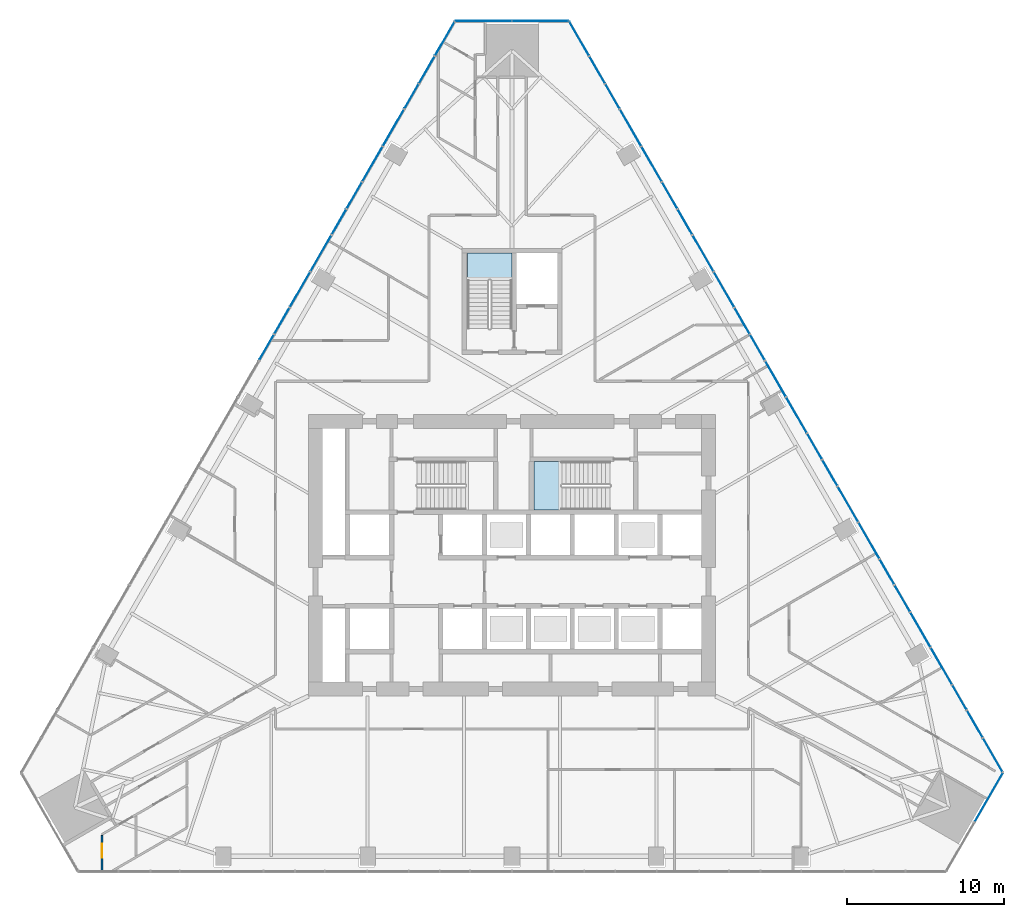
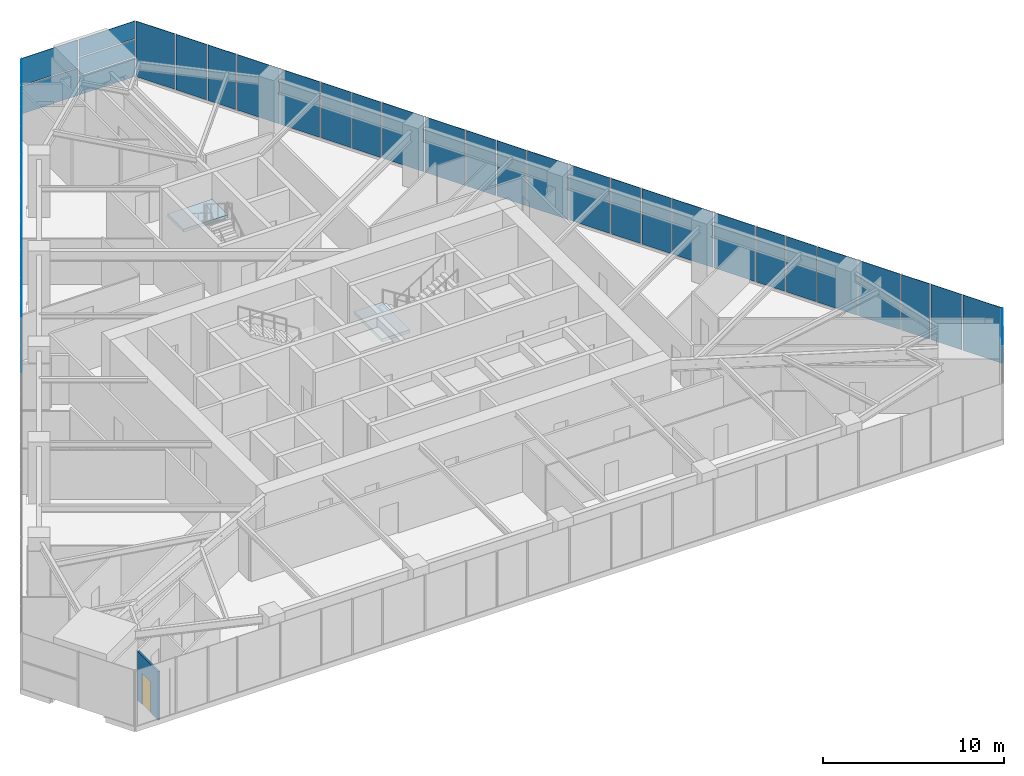
# One storey, part 12 of 19: 41 plates, 2 slabs, 1 door, 1 wall, 1 opening, 6 elements without a shape of their own.
"""IFC4 building model written with IfcOpenShell, lengths in metres."""

import ifcopenshell
import ifcopenshell.guid

model = None  # the IFC model being written
_history = None  # IfcOwnerHistory: only IFC2X3 demands one
_inside = {}  # id of a spatial element -> (the spatial element, [elements in it])
_under = {}  # id of a project, library or spatial element -> (it, [spatial elements below it])
_declared = {}  # id of a project -> (the project, [libraries it declares])
_typed = {}  # id of a type object -> (the type object, [elements of that type])
_made_of = {}  # id of a material, layer set ... -> (it, [elements and type objects made of it])


def new_model(schema):
    """Start an empty IFC model of exactly this schema.

    Asked for "IFC4X3", IfcOpenShell would pick the latest addendum, in which some entities
    have other attributes; the version numbers below select the first issue.
    IFC2X3 requires an IfcOwnerHistory on every rooted entity: one is made here for all.
    """
    global model, _history
    if schema == "IFC4X3":
        model = ifcopenshell.file(schema_version=(4, 3, 0, 0))
    else:
        model = ifcopenshell.file(schema=schema)
    _inside.clear()
    _under.clear()
    _declared.clear()
    _typed.clear()
    _made_of.clear()
    _history = None
    if model.schema == "IFC2X3":
        org = make("IfcOrganization", Name="unknown")
        user = make(
            "IfcPersonAndOrganization",
            ThePerson=make("IfcPerson", FamilyName="unknown"),
            TheOrganization=org,
        )
        app = make(
            "IfcApplication",
            ApplicationDeveloper=org,
            Version="unknown",
            ApplicationFullName="unknown",
            ApplicationIdentifier="unknown",
        )
        _history = make(
            "IfcOwnerHistory",
            OwningUser=user,
            OwningApplication=app,
            ChangeAction="ADDED",
            CreationDate=0,
        )
    return model


def make(cls, **values):
    """One entity of the class cls with the attributes given. An attribute that is None is left unset."""
    return model.create_entity(
        cls, **{name: value for name, value in values.items() if value is not None}
    )


def rooted(cls, **values):
    """An entity with a GlobalId (a new one), such as an element, a storey or a relation."""
    return make(cls, GlobalId=ifcopenshell.guid.new(), OwnerHistory=_history, **values)


def si_unit(unit_type, name, prefix=None):
    """IfcSIUnit, for example si_unit("LENGTHUNIT", "METRE", prefix="MILLI")."""
    return make("IfcSIUnit", UnitType=unit_type, Prefix=prefix, Name=name)


def assignment(units):
    """IfcUnitAssignment: the units of a project."""
    return None if units is None else make("IfcUnitAssignment", Units=units)


def point(xyz):
    """IfcCartesianPoint."""
    return None if xyz is None else make("IfcCartesianPoint", Coordinates=xyz)


def direction(xyz):
    """IfcDirection."""
    return None if xyz is None else make("IfcDirection", DirectionRatios=xyz)


def frame(location, z_axis=None, x_axis=None):
    """IfcAxis2Placement3D, a coordinate frame: its origin and axes. An axis left out is left unset."""
    return make(
        "IfcAxis2Placement3D",
        Location=point(location),
        Axis=direction(z_axis),
        RefDirection=direction(x_axis),
    )


def frame_2d(location, x_axis=None):
    """IfcAxis2Placement2D, a coordinate frame in the plane: its origin and x axis."""
    return make(
        "IfcAxis2Placement2D", Location=point(location), RefDirection=direction(x_axis)
    )


def origin():
    """The frame at (0, 0, 0) with its axes left unset."""
    return frame((0.0, 0.0, 0.0))


def place(relative_to, where):
    """IfcLocalPlacement: puts the frame where relative to a parent placement (None: the world)."""
    return make(
        "IfcLocalPlacement", PlacementRelTo=relative_to, RelativePlacement=where
    )


def context(
    kind, dimensions, precision=None, world=None, true_north=None, identifier=None
):
    """IfcGeometricRepresentationContext, for example the 3D "Model" context."""
    return make(
        "IfcGeometricRepresentationContext",
        ContextIdentifier=identifier,
        ContextType=kind,
        CoordinateSpaceDimension=dimensions,
        Precision=precision,
        WorldCoordinateSystem=world,
        TrueNorth=true_north,
    )


def subcontext(parent, identifier, kind, view, scale=None):
    """IfcGeometricRepresentationSubContext, for example "Body" below "Model"."""
    return make(
        "IfcGeometricRepresentationSubContext",
        ContextIdentifier=identifier,
        ContextType=kind,
        ParentContext=parent,
        TargetScale=scale,
        TargetView=view,
    )


def project(units=None, contexts=None):
    """IfcProject with its units and contexts."""
    return rooted(
        "IfcProject",
        Name="project",
        RepresentationContexts=contexts,
        UnitsInContext=assignment(units),
    )


def spatial(cls, under=None, at=None, **own):
    """A site, building, storey or space (cls), placed at a placement, below another one or the project."""
    s = rooted(cls, ObjectPlacement=at, **own)
    if under is not None:
        _under.setdefault(under.id(), (under, []))[1].append(s)
    return s


def polyline(points):
    """IfcPolyline through the points."""
    return make("IfcPolyline", Points=[point(p) for p in points])


def profile(cls, at=None, kind="AREA", **sizes):
    """A parametric profile (cls). Its sizes go by their IFC names, for example OverallWidth=200.0."""
    return make(cls, ProfileType=kind, Position=at, **sizes)


def rectangle(**sizes):
    """IfcRectangleProfileDef."""
    return profile("IfcRectangleProfileDef", **sizes)


def outline(outer, holes=None, kind="AREA"):
    """IfcArbitraryClosedProfileDef: a profile drawn as a closed curve; with holes, ...WithVoids."""
    if holes is None:
        return make("IfcArbitraryClosedProfileDef", ProfileType=kind, OuterCurve=outer)
    return make(
        "IfcArbitraryProfileDefWithVoids",
        ProfileType=kind,
        OuterCurve=outer,
        InnerCurves=holes,
    )


def extrude(swept, where, along, depth):
    """IfcExtrudedAreaSolid: the profile swept, set in the frame where, extruded along a direction by depth."""
    return make(
        "IfcExtrudedAreaSolid",
        SweptArea=swept,
        Position=where,
        ExtrudedDirection=direction(along),
        Depth=depth,
    )


def shape(context_of_items, identifier, shape_type, items):
    """IfcShapeRepresentation: the items that make up one representation, for example the "Body"."""
    return make(
        "IfcShapeRepresentation",
        ContextOfItems=context_of_items,
        RepresentationIdentifier=identifier,
        RepresentationType=shape_type,
        Items=items,
    )


def material(Name=None, Category=None):
    """IfcMaterial."""
    return make("IfcMaterial", Name=Name, Category=Category)


def layer(
    of_material, thickness, ventilated=None, Name=None, Category=None, Priority=None
):
    """IfcMaterialLayer: one layer of a wall or slab, of a material (None: an air gap)."""
    return make(
        "IfcMaterialLayer",
        Material=of_material,
        LayerThickness=thickness,
        IsVentilated=ventilated,
        Name=Name,
        Category=Category,
        Priority=Priority,
    )


def layer_set(layers, Name=None):
    """IfcMaterialLayerSet."""
    return make("IfcMaterialLayerSet", MaterialLayers=layers, LayerSetName=Name)


def made_of(thing, what):
    """Note that an element or type object is made of a material, layer set ...; save() writes the relation."""
    if what is not None:
        _made_of.setdefault(what.id(), (what, []))[1].append(thing)
    return thing


def type_object(cls, material=None, **own):
    """A type object (cls), such as IfcWallType, which elements share."""
    return made_of(rooted(cls, **own), material)


def element(
    cls,
    number,
    at=None,
    inside=None,
    cuts=None,
    type_object=None,
    material=None,
    context=None,
    identifier="Body",
    shape_type=None,
    held_by="IfcProductDefinitionShape",
    body=None,
    shapes=None,
    **own,
):
    """One element of the class cls, such as IfcWall. Its Tag is "e" and its number.

    at: its placement. inside: the storey or other place that contains it. cuts: it is an
    opening in that element (IfcRelVoidsElement). A single representation is given by context,
    identifier, shape_type and body (its items); several are given by shapes. held_by: the class
    of the entity that holds the representations. save() writes the other relations.
    """
    e = rooted(cls, Tag="e%d" % number, ObjectPlacement=at, **own)
    if body is not None:
        shapes = [shape(context, identifier, shape_type, body)]
    if shapes is not None:
        e.Representation = make(held_by, Representations=shapes)
    if inside is not None:
        _inside.setdefault(inside.id(), (inside, []))[1].append(e)
    if cuts is not None:
        rooted(
            "IfcRelVoidsElement", RelatingBuildingElement=cuts, RelatedOpeningElement=e
        )
    if type_object is not None:
        _typed.setdefault(type_object.id(), (type_object, []))[1].append(e)
    return made_of(e, material)


def fill(opening, filler):
    """IfcRelFillsElement: the door or window that sits in an opening."""
    return rooted(
        "IfcRelFillsElement",
        RelatingOpeningElement=opening,
        RelatedBuildingElement=filler,
    )


def aggregate(whole, parts):
    """IfcRelAggregates: a whole, such as a stair, and the parts it consists of."""
    return rooted("IfcRelAggregates", RelatingObject=whole, RelatedObjects=parts)


def save(model, path):
    """Write the relations noted so far, then the file.

    IfcRelAggregates (storeys below a building ...), IfcRelContainedInSpatialStructure (elements
    in a storey), IfcRelDefinesByType, IfcRelAssociatesMaterial and IfcRelDeclares: one each for
    every whole, place, type object, material and project.
    """
    for whole, parts in _under.values():
        aggregate(whole, parts)
    for where, things in _inside.values():
        rooted(
            "IfcRelContainedInSpatialStructure",
            RelatedElements=things,
            RelatingStructure=where,
        )
    for kind, things in _typed.values():
        rooted("IfcRelDefinesByType", RelatedObjects=things, RelatingType=kind)
    for what, things in _made_of.values():
        rooted("IfcRelAssociatesMaterial", RelatedObjects=things, RelatingMaterial=what)
    for by, libraries in _declared.values():
        rooted("IfcRelDeclares", RelatingContext=by, RelatedDefinitions=libraries)
    model.write(path)


model = new_model("IFC4")

# Units and contexts
model_context = context("Model", 3, precision=1e-05, world=origin(), true_north=direction((0.0, 1.0)))
body_context = subcontext(model_context, "Body", "Model", "MODEL_VIEW")
ifc_project = project(units=[si_unit("LENGTHUNIT", "METRE"), si_unit("AREAUNIT", "SQUARE_METRE"), si_unit("VOLUMEUNIT", "CUBIC_METRE"), si_unit("PLANEANGLEUNIT", "RADIAN"), si_unit("MASSUNIT", "GRAM", prefix="KILO")], contexts=[model_context])

# Site, building, storey
site_placement = place(None, origin())
site = spatial("IfcSite", under=ifc_project, at=site_placement, CompositionType="ELEMENT")
building_placement = place(site_placement, origin())
building = spatial("IfcBuilding", under=site, at=building_placement, Name="Firuza Gate Tower and Library", CompositionType="ELEMENT")
storey_placement = place(building_placement, frame((0.0, 0.0, 136.60009765625)))
storey = spatial("IfcBuildingStorey", under=building, at=storey_placement, Name="L31", CompositionType="ELEMENT", Elevation=136.60009765625)

# Curtain wall, plates
ifc_material_1 = material(Name="Aluminium 6063-T6", Category="aluminium")
ifc_layer_1 = layer(ifc_material_1, 0.14990234375)
ifc_layer_set_1 = layer_set([ifc_layer_1], Name="Corner curtain wall, chamfers")
curtain_wall_type_1 = type_object("IfcCurtainWallType", Name="Corner curtain wall, chamfers", PredefinedType="NOTDEFINED", material=ifc_layer_set_1)
placement_1 = place(storey_placement, origin())
curtain_wall_1 = element("IfcCurtainWall", 1, at=placement_1, inside=storey, type_object=curtain_wall_type_1, Name="CW4 L31 N corner", PredefinedType="NOTDEFINED")
ifc_material_2 = material(Name="Fritted glass", Category="glass")
ifc_layer_2 = layer(ifc_material_2, 0.030029296875)
ifc_layer_set_2 = layer_set([ifc_layer_2], Name="Fritted glass unit, corners")
plate_type_1 = type_object("IfcPlateType", Name="Fritted glass unit, corners", PredefinedType="CURTAIN_PANEL", material=ifc_layer_set_2)
plate_1_placement = place(storey_placement, frame((78.603271484375, 109.118408203125, 0.14990234375), z_axis=(0.0, 1.0, 0.0), x_axis=(-1.0, 0.0, 0.0)))
plate_1 = element("IfcPlate", 2, at=plate_1_placement, type_object=plate_type_1, Name="Glass unit", PredefinedType="CURTAIN_PANEL", context=body_context, shape_type="SweptSolid", body=[
    extrude(outline(polyline([(0.0, 0.0), (3.563232421875, 0.0), (3.563232421875, 1.260009765625), (0.0, 1.260009765625), (0.0, 0.0)])), origin(), (0.0, 0.0, -1.0), 0.030029296875),
])
plate_2_placement = place(storey_placement, frame((78.603271484375, 109.118408203125, 1.489990234375), z_axis=(0.0, 1.0, 0.0), x_axis=(-1.0, 0.0, 0.0)))
plate_2 = element("IfcPlate", 3, at=plate_2_placement, type_object=plate_type_1, Name="Glass unit", PredefinedType="CURTAIN_PANEL", context=body_context, shape_type="SweptSolid", body=[
    extrude(outline(polyline([(0.0, 0.0), (3.563232421875, 0.0), (3.563232421875, 1.14501953125), (0.0, 1.14501953125), (0.0, 0.0)])), origin(), (0.0, 0.0, -1.0), 0.030029296875),
])
plate_3_placement = place(storey_placement, frame((74.9599609375, 109.118408203125, 0.14990234375), z_axis=(0.0, 1.0, 0.0), x_axis=(-1.0, 0.0, 0.0)))
plate_3 = element("IfcPlate", 4, at=plate_3_placement, type_object=plate_type_1, Name="Glass unit", PredefinedType="CURTAIN_PANEL", context=body_context, shape_type="SweptSolid", body=[
    extrude(outline(polyline([(0.0, 0.0), (3.563232421875, 0.0), (3.563232421875, 1.8349609375), (0.0, 1.8349609375), (0.0, 0.0)])), origin(), (0.0, 0.0, -1.0), 0.030029296875),
])

ifc_material_3 = material(Name="Aluminium 6063-T6", Category="aluminium")
ifc_layer_3 = layer(ifc_material_3, 0.14990234375)
ifc_layer_set_3 = layer_set([ifc_layer_3], Name="Unitised curtain wall, offices")
curtain_wall_type_2 = type_object("IfcCurtainWallType", Name="Unitised curtain wall, offices", PredefinedType="NOTDEFINED", material=ifc_layer_set_3)
curtain_wall_2 = element("IfcCurtainWall", 5, at=placement_1, inside=storey, type_object=curtain_wall_type_2, Name="CW1 L31 E face", PredefinedType="NOTDEFINED")
ifc_material_4 = material(Name="Fritted glass", Category="glass")
ifc_layer_4 = layer(ifc_material_4, 0.030029296875)
ifc_layer_set_4 = layer_set([ifc_layer_4], Name="Fritted glass unit, offices")
plate_type_2 = type_object("IfcPlateType", Name="Fritted glass unit, offices", PredefinedType="CURTAIN_PANEL", material=ifc_layer_set_4)
plate_4_placement = place(storey_placement, frame((105.06103515625, 63.37646484375, 0.14990234375), z_axis=(0.866030246746, 0.49999161165, 0.0), x_axis=(-0.49999161165, 0.866030246746, 0.0)))
plate_4 = element("IfcPlate", 6, at=plate_4_placement, type_object=plate_type_2, Name="Glass unit", PredefinedType="CURTAIN_PANEL", context=body_context, shape_type="SweptSolid", body=[
    extrude(outline(polyline([(0.0, 0.0), (1.962923556378956, 0.0), (1.962923556378956, 3.75), (0.0, 3.75), (0.0, 0.0)])), origin(), (0.0, 0.0, -1.0), 0.030029296875),
])
plate_5_placement = place(storey_placement, frame((104.03955078125, 65.145751953125, 0.14990234375), z_axis=(0.866051527458, 0.499954749741, 0.0), x_axis=(-0.499954749741, 0.866051527458, 0.0)))
plate_5 = element("IfcPlate", 7, at=plate_5_placement, type_object=plate_type_2, Name="Glass unit", PredefinedType="CURTAIN_PANEL", context=body_context, shape_type="SweptSolid", body=[
    extrude(outline(polyline([(0.0, 0.0), (1.7892244257381775, 0.0), (1.7892244257381775, 3.75), (0.0, 3.75), (0.0, 0.0)])), origin(), (0.0, 0.0, -1.0), 0.030029296875),
])
plate_6_placement = place(storey_placement, frame((100.4248046875, 71.406494140625, 0.14990234375), z_axis=(0.866029561738, 0.499992798144, 0.0), x_axis=(-0.499992798144, 0.866029561738, 0.0)))
plate_6 = element("IfcPlate", 8, at=plate_6_placement, type_object=plate_type_2, Name="Glass unit", PredefinedType="CURTAIN_PANEL", context=body_context, shape_type="SweptSolid", body=[
    extrude(outline(polyline([(0.0, 0.0), (1.9282504302145163, 0.0), (1.9282504302145163, 3.75), (0.0, 3.75), (0.0, 0.0)])), origin(), (0.0, 0.0, -1.0), 0.030029296875),
])
plate_7_placement = place(storey_placement, frame((99.4208984375, 73.1455078125, 0.14990234375), z_axis=(0.866027350463, 0.499996628238, 0.0), x_axis=(-0.499996628238, 0.866027350463, 0.0)))
plate_7 = element("IfcPlate", 9, at=plate_7_placement, type_object=plate_type_2, Name="Glass unit", PredefinedType="CURTAIN_PANEL", context=body_context, shape_type="SweptSolid", body=[
    extrude(outline(polyline([(0.0, 0.0), (1.8242310517445641, 0.0), (1.8242310517445641, 3.75), (0.0, 3.75), (0.0, 0.0)])), origin(), (0.0, 0.0, -1.0), 0.030029296875),
])
plate_8_placement = place(storey_placement, frame((95.788818359375, 79.4365234375, 0.14990234375), z_axis=(0.866028851642, 0.499994028088, 0.0), x_axis=(-0.499994028088, 0.866028851642, 0.0)))
plate_8 = element("IfcPlate", 10, at=plate_8_placement, type_object=plate_type_2, Name="Glass unit", PredefinedType="CURTAIN_PANEL", context=body_context, shape_type="SweptSolid", body=[
    extrude(outline(polyline([(0.0, 0.0), (1.8935773040538286, 0.0), (1.8935773040538286, 3.75), (0.0, 3.75), (0.0, 0.0)])), origin(), (0.0, 0.0, -1.0), 0.030029296875),
])
plate_9_placement = place(storey_placement, frame((94.802001953125, 81.1455078125, 0.14990234375), z_axis=(0.866028115054, 0.499995303914, 0.0), x_axis=(-0.499995303914, 0.866028115054, 0.0)))
plate_9 = element("IfcPlate", 11, at=plate_9_placement, type_object=plate_type_2, Name="Glass unit", PredefinedType="CURTAIN_PANEL", context=body_context, shape_type="SweptSolid", body=[
    extrude(outline(polyline([(0.0, 0.0), (1.8589041778971025, 0.0), (1.8589041778971025, 3.75), (0.0, 3.75), (0.0, 0.0)])), origin(), (0.0, 0.0, -1.0), 0.030029296875),
])
plate_10_placement = place(storey_placement, frame((91.152587890625, 87.466552734375, 0.14990234375), z_axis=(0.865995276124, 0.500052179009, 0.0), x_axis=(-0.500052179009, 0.865995276124, 0.0)))
plate_10 = element("IfcPlate", 12, at=plate_10_placement, type_object=plate_type_2, Name="Glass unit", PredefinedType="CURTAIN_PANEL", context=body_context, shape_type="SweptSolid", body=[
    extrude(outline(polyline([(0.0, 0.0), (1.858692749260256, 0.0), (1.858692749260256, 3.75), (0.0, 3.75), (0.0, 0.0)])), origin(), (0.0, 0.0, -1.0), 0.030029296875),
])
plate_11_placement = place(storey_placement, frame((90.183349609375, 89.1455078125, 0.14990234375), z_axis=(0.866028851642, 0.499994028088, 0.0), x_axis=(-0.499994028088, 0.866028851642, 0.0)))
plate_11 = element("IfcPlate", 13, at=plate_11_placement, type_object=plate_type_2, Name="Glass unit", PredefinedType="CURTAIN_PANEL", context=body_context, shape_type="SweptSolid", body=[
    extrude(outline(polyline([(0.0, 0.0), (1.8935773040538286, 0.0), (1.8935773040538286, 3.75), (0.0, 3.75), (0.0, 0.0)])), origin(), (0.0, 0.0, -1.0), 0.030029296875),
])
plate_12_placement = place(storey_placement, frame((86.516357421875, 95.49658203125, 0.14990234375), z_axis=(0.866051847062, 0.499954196102, 0.0), x_axis=(-0.499954196102, 0.866051847062, 0.0)))
plate_12 = element("IfcPlate", 14, at=plate_12_placement, type_object=plate_type_2, Name="Glass unit", PredefinedType="CURTAIN_PANEL", context=body_context, shape_type="SweptSolid", body=[
    extrude(outline(polyline([(0.0, 0.0), (1.8238975519858354, 0.0), (1.8238975519858354, 3.75), (0.0, 3.75), (0.0, 0.0)])), origin(), (0.0, 0.0, -1.0), 0.030029296875),
])
plate_13_placement = place(storey_placement, frame((85.564453125, 97.1455078125, 0.14990234375), z_axis=(0.866029561738, 0.499992798144, 0.0), x_axis=(-0.499992798144, 0.866029561738, 0.0)))
plate_13 = element("IfcPlate", 15, at=plate_13_placement, type_object=plate_type_2, Name="Glass unit", PredefinedType="CURTAIN_PANEL", context=body_context, shape_type="SweptSolid", body=[
    extrude(outline(polyline([(0.0, 0.0), (1.9282504302145163, 0.0), (1.9282504302145163, 3.75), (0.0, 3.75), (0.0, 0.0)])), origin(), (0.0, 0.0, -1.0), 0.030029296875),
])
plate_14_placement = place(storey_placement, frame((81.88037109375, 103.526611328125, 0.14990234375), z_axis=(0.865992444193, 0.500057083342, 0.0), x_axis=(-0.500057083342, 0.865992444193, 0.0)))
plate_14 = element("IfcPlate", 16, at=plate_14_placement, type_object=plate_type_2, Name="Glass unit", PredefinedType="CURTAIN_PANEL", context=body_context, shape_type="SweptSolid", body=[
    extrude(outline(polyline([(0.0, 0.0), (1.789346497495572, 0.0), (1.789346497495572, 3.75), (0.0, 3.75), (0.0, 0.0)])), origin(), (0.0, 0.0, -1.0), 0.030029296875),
])
plate_15_placement = place(storey_placement, frame((80.94580078125, 105.1455078125, 0.14990234375), z_axis=(0.865976389277, 0.500084886009, 0.0), x_axis=(-0.500084886009, 0.865976389277, 0.0)))
plate_15 = element("IfcPlate", 17, at=plate_15_placement, type_object=plate_type_2, Name="Glass unit", PredefinedType="CURTAIN_PANEL", context=body_context, shape_type="SweptSolid", body=[
    extrude(outline(polyline([(0.0, 0.0), (1.9630456360299031, 0.0), (1.9630456360299031, 3.75), (0.0, 3.75), (0.0, 0.0)])), origin(), (0.0, 0.0, -1.0), 0.030029296875),
])

curtain_wall_3 = element("IfcCurtainWall", 18, at=placement_1, inside=storey, type_object=curtain_wall_type_2, Name="CW1 L31 W face", PredefinedType="NOTDEFINED")
plate_16_placement = place(storey_placement, frame((70.035888671875, 106.845458984375, 0.14990234375), z_axis=(-0.865976389277, 0.500084886009, 0.0), x_axis=(-0.500084886009, -0.865976389277, 0.0)))
plate_16 = element("IfcPlate", 19, at=plate_16_placement, type_object=plate_type_2, Name="Glass unit", PredefinedType="CURTAIN_PANEL", context=body_context, shape_type="SweptSolid", body=[
    extrude(outline(polyline([(0.0, 0.0), (1.9630456360299031, 0.0), (1.9630456360299031, 3.75), (0.0, 3.75), (0.0, 0.0)])), origin(), (0.0, 0.0, -1.0), 0.030029296875),
])
plate_17_placement = place(storey_placement, frame((69.014404296875, 105.076171875, 0.14990234375), z_axis=(-0.865992444193, 0.500057083342, 0.0), x_axis=(-0.500057083342, -0.865992444193, 0.0)))
plate_17 = element("IfcPlate", 20, at=plate_17_placement, type_object=plate_type_2, Name="Glass unit", PredefinedType="CURTAIN_PANEL", context=body_context, shape_type="SweptSolid", body=[
    extrude(outline(polyline([(0.0, 0.0), (1.789346497495572, 0.0), (1.789346497495572, 3.75), (0.0, 3.75), (0.0, 0.0)])), origin(), (0.0, 0.0, -1.0), 0.030029296875),
])
plate_18_placement = place(storey_placement, frame((65.399658203125, 98.8154296875, 0.14990234375), z_axis=(-0.866029561738, 0.499992798144, 0.0), x_axis=(-0.499992798144, -0.866029561738, 0.0)))
plate_18 = element("IfcPlate", 21, at=plate_18_placement, type_object=plate_type_2, Name="Glass unit", PredefinedType="CURTAIN_PANEL", context=body_context, shape_type="SweptSolid", body=[
    extrude(outline(polyline([(0.0, 0.0), (1.9282504302145163, 0.0), (1.9282504302145163, 3.75), (0.0, 3.75), (0.0, 0.0)])), origin(), (0.0, 0.0, -1.0), 0.030029296875),
])
plate_19_placement = place(storey_placement, frame((64.3955078125, 97.076171875, 0.14990234375), z_axis=(-0.866051847062, 0.499954196102, 0.0), x_axis=(-0.499954196102, -0.866051847062, 0.0)))
plate_19 = element("IfcPlate", 22, at=plate_19_placement, type_object=plate_type_2, Name="Glass unit", PredefinedType="CURTAIN_PANEL", context=body_context, shape_type="SweptSolid", body=[
    extrude(outline(polyline([(0.0, 0.0), (1.8238975519858354, 0.0), (1.8238975519858354, 3.75), (0.0, 3.75), (0.0, 0.0)])), origin(), (0.0, 0.0, -1.0), 0.030029296875),
])
plate_20_placement = place(storey_placement, frame((60.763427734375, 90.785400390625, 0.14990234375), z_axis=(-0.866028851642, 0.499994028088, 0.0), x_axis=(-0.499994028088, -0.866028851642, 0.0)))
plate_20 = element("IfcPlate", 23, at=plate_20_placement, type_object=plate_type_2, Name="Glass unit", PredefinedType="CURTAIN_PANEL", context=body_context, shape_type="SweptSolid", body=[
    extrude(outline(polyline([(0.0, 0.0), (1.8935773040538286, 0.0), (1.8935773040538286, 3.75), (0.0, 3.75), (0.0, 0.0)])), origin(), (0.0, 0.0, -1.0), 0.030029296875),
])
plate_21_placement = place(storey_placement, frame((59.77685546875, 89.076171875, 0.14990234375), z_axis=(-0.865995276124, 0.500052179009, 0.0), x_axis=(-0.500052179009, -0.865995276124, 0.0)))
plate_21 = element("IfcPlate", 24, at=plate_21_placement, type_object=plate_type_2, Name="Glass unit", PredefinedType="CURTAIN_PANEL", context=body_context, shape_type="SweptSolid", body=[
    extrude(outline(polyline([(0.0, 0.0), (1.858692749260256, 0.0), (1.858692749260256, 3.75), (0.0, 3.75), (0.0, 0.0)])), origin(), (0.0, 0.0, -1.0), 0.030029296875),
])

# Curtain wall, plate
curtain_wall_4 = element("IfcCurtainWall", 25, at=placement_1, inside=storey, type_object=curtain_wall_type_1, Name="CW4 L31 SE corner", PredefinedType="NOTDEFINED")
ifc_material_5 = material(Name="Glazed ceramic tile")
ifc_layer_5 = layer(ifc_material_5, 0.030029296875)
ifc_layer_set_5 = layer_set([ifc_layer_5], Name="Opaque ceramic panel, corners")
plate_type_3 = type_object("IfcPlateType", Name="Opaque ceramic panel, corners", PredefinedType="CURTAIN_PANEL", material=ifc_layer_set_5)
plate_22_placement = place(storey_placement, frame((104.5673828125, 57.9755859375, 2.71484375), z_axis=(0.866029262436, -0.49999331656, 0.0), x_axis=(0.49999331656, 0.866029262436, 0.0)))
plate_22 = element("IfcPlate", 26, at=plate_22_placement, type_object=plate_type_3, Name="Opaque ceramic panel", PredefinedType="CURTAIN_PANEL", context=body_context, shape_type="SweptSolid", body=[
    extrude(outline(polyline([(0.0, 0.0), (3.563035907926298, 0.0), (3.563035907926298, 1.18505859375), (0.0, 1.18505859375), (0.0, 0.0)])), origin(), (0.0, 0.0, -1.0), 0.030029296875),
])
aggregate(curtain_wall_4, [plate_22])

# Plate
plate_23_placement = place(storey_placement, frame((78.603271484375, 109.118408203125, 2.71484375), z_axis=(0.0, 1.0, 0.0), x_axis=(-1.0, 0.0, 0.0)))
plate_23 = element("IfcPlate", 27, at=plate_23_placement, type_object=plate_type_3, Name="Opaque ceramic panel", PredefinedType="CURTAIN_PANEL", context=body_context, shape_type="SweptSolid", body=[
    extrude(outline(polyline([(0.0, 0.0), (3.563232421875, 0.0), (3.563232421875, 1.18505859375), (0.0, 1.18505859375), (0.0, 0.0)])), origin(), (0.0, 0.0, -1.0), 0.030029296875),
])

plate_24_placement = place(storey_placement, frame((74.9599609375, 109.118408203125, 2.06494140625), z_axis=(0.0, 1.0, 0.0), x_axis=(-1.0, 0.0, 0.0)))
plate_24 = element("IfcPlate", 28, at=plate_24_placement, type_object=plate_type_3, Name="Opaque ceramic panel", PredefinedType="CURTAIN_PANEL", context=body_context, shape_type="SweptSolid", body=[
    extrude(outline(polyline([(0.0, 0.0), (3.563232421875, 0.0), (3.563232421875, 1.8349609375), (0.0, 1.8349609375), (0.0, 0.0)])), origin(), (0.0, 0.0, -1.0), 0.030029296875),
])

aggregate(curtain_wall_1, [plate_1, plate_2, plate_23, plate_3, plate_24])

ifc_material_6 = material(Name="Glazed ceramic tile")
ifc_layer_6 = layer(ifc_material_6, 0.030029296875)
ifc_layer_set_6 = layer_set([ifc_layer_6], Name="Opaque ceramic panel, offices")
plate_type_4 = type_object("IfcPlateType", Name="Opaque ceramic panel, offices", PredefinedType="CURTAIN_PANEL", material=ifc_layer_set_6)
plate_25_placement = place(storey_placement, frame((106.348876953125, 61.145751953125, 0.14990234375), z_axis=(0.866037345973, 0.499979314952, 0.0), x_axis=(-0.499979314952, 0.866037345973, 0.0)))
plate_25 = element("IfcPlate", 29, at=plate_25_placement, type_object=plate_type_4, Name="Opaque ceramic panel", PredefinedType="CURTAIN_PANEL", context=body_context, shape_type="SweptSolid", body=[
    extrude(outline(polyline([(0.0, 0.0), (2.4957087164598426, 0.0), (2.4957087164598426, 3.75), (0.0, 3.75), (0.0, 0.0)])), origin(), (0.0, 0.0, -1.0), 0.030029296875),
])

plate_26_placement = place(storey_placement, frame((103.10498046875, 66.764404296875, 0.14990234375), z_axis=(0.866045482058, 0.499965221797, 0.0), x_axis=(-0.499965221797, 0.866045482058, 0.0)))
plate_26 = element("IfcPlate", 30, at=plate_26_placement, type_object=plate_type_4, Name="Opaque ceramic panel", PredefinedType="CURTAIN_PANEL", context=body_context, shape_type="SweptSolid", body=[
    extrude(outline(polyline([(0.0, 0.0), (2.6696192828749177, 0.0), (2.6696192828749177, 3.75), (0.0, 3.75), (0.0, 0.0)])), origin(), (0.0, 0.0, -1.0), 0.030029296875),
])

plate_27_placement = place(storey_placement, frame((101.730224609375, 69.145751953125, 0.14990234375), z_axis=(0.865995992199, 0.5000509389, 0.0), x_axis=(-0.5000509389, 0.865995992199, 0.0)))
plate_27 = element("IfcPlate", 31, at=plate_27_placement, type_object=plate_type_4, Name="Opaque ceramic panel", PredefinedType="CURTAIN_PANEL", context=body_context, shape_type="SweptSolid", body=[
    extrude(outline(polyline([(0.0, 0.0), (2.5305039165770276, 0.0), (2.5305039165770276, 3.75), (0.0, 3.75), (0.0, 0.0)])), origin(), (0.0, 0.0, -1.0), 0.030029296875),
])

plate_28_placement = place(storey_placement, frame((98.46875, 74.79443359375, 0.14990234375), z_axis=(0.866045181273, 0.499965742821, 0.0), x_axis=(-0.499965742821, 0.866045181273, 0.0)))
plate_28 = element("IfcPlate", 32, at=plate_28_placement, type_object=plate_type_4, Name="Opaque ceramic panel", PredefinedType="CURTAIN_PANEL", context=body_context, shape_type="SweptSolid", body=[
    extrude(outline(polyline([(0.0, 0.0), (2.6349461566447427, 0.0), (2.6349461566447427, 3.75), (0.0, 3.75), (0.0, 0.0)])), origin(), (0.0, 0.0, -1.0), 0.030029296875),
])

plate_29_placement = place(storey_placement, frame((97.111328125, 77.1455078125, 0.14990234375), z_axis=(0.866061973738, 0.499936653632, 0.0), x_axis=(-0.499936653632, 0.866061973738, 0.0)))
plate_29 = element("IfcPlate", 33, at=plate_29_placement, type_object=plate_type_4, Name="Opaque ceramic panel", PredefinedType="CURTAIN_PANEL", context=body_context, shape_type="SweptSolid", body=[
    extrude(outline(polyline([(0.0, 0.0), (2.5652664068716198, 0.0), (2.5652664068716198, 3.75), (0.0, 3.75), (0.0, 0.0)])), origin(), (0.0, 0.0, -1.0), 0.030029296875),
])

plate_30_placement = place(storey_placement, frame((93.832763671875, 82.824462890625, 0.14990234375), z_axis=(0.866021400173, 0.500006934395, 0.0), x_axis=(-0.500006934395, 0.866021400173, 0.0)))
plate_30 = element("IfcPlate", 34, at=plate_30_placement, type_object=plate_type_4, Name="Opaque ceramic panel", PredefinedType="CURTAIN_PANEL", context=body_context, shape_type="SweptSolid", body=[
    extrude(outline(polyline([(0.0, 0.0), (2.600061596544259, 0.0), (2.600061596544259, 3.75), (0.0, 3.75), (0.0, 0.0)])), origin(), (0.0, 0.0, -1.0), 0.030029296875),
])

plate_31_placement = place(storey_placement, frame((92.49267578125, 85.1455078125, 0.14990234375), z_axis=(0.866021400173, 0.500006934395, 0.0), x_axis=(-0.500006934395, 0.866021400173, 0.0)))
plate_31 = element("IfcPlate", 35, at=plate_31_placement, type_object=plate_type_4, Name="Opaque ceramic panel", PredefinedType="CURTAIN_PANEL", context=body_context, shape_type="SweptSolid", body=[
    extrude(outline(polyline([(0.0, 0.0), (2.600061596544259, 0.0), (2.600061596544259, 3.75), (0.0, 3.75), (0.0, 0.0)])), origin(), (0.0, 0.0, -1.0), 0.030029296875),
])

plate_32_placement = place(storey_placement, frame((89.196533203125, 90.8544921875, 0.14990234375), z_axis=(0.866020765707, 0.500008033299, 0.0), x_axis=(-0.500008033299, 0.866020765707, 0.0)))
plate_32 = element("IfcPlate", 36, at=plate_32_placement, type_object=plate_type_4, Name="Opaque ceramic panel", PredefinedType="CURTAIN_PANEL", context=body_context, shape_type="SweptSolid", body=[
    extrude(outline(polyline([(0.0, 0.0), (2.5653884704322434, 0.0), (2.5653884704322434, 3.75), (0.0, 3.75), (0.0, 0.0)])), origin(), (0.0, 0.0, -1.0), 0.030029296875),
])

plate_33_placement = place(storey_placement, frame((87.873779296875, 93.1455078125, 0.14990234375), z_axis=(0.866022017938, 0.500005864412, 0.0), x_axis=(-0.500005864412, 0.866022017938, 0.0)))
plate_33 = element("IfcPlate", 37, at=plate_33_placement, type_object=plate_type_4, Name="Opaque ceramic panel", PredefinedType="CURTAIN_PANEL", context=body_context, shape_type="SweptSolid", body=[
    extrude(outline(polyline([(0.0, 0.0), (2.6347347226603506, 0.0), (2.6347347226603506, 3.75), (0.0, 3.75), (0.0, 0.0)])), origin(), (0.0, 0.0, -1.0), 0.030029296875),
])

plate_34_placement = place(storey_placement, frame((84.560302734375, 98.884521484375, 0.14990234375), z_axis=(0.866061886523, 0.499936804719, 0.0), x_axis=(-0.499936804719, 0.866061886523, 0.0)))
plate_34 = element("IfcPlate", 38, at=plate_34_placement, type_object=plate_type_4, Name="Opaque ceramic panel", PredefinedType="CURTAIN_PANEL", context=body_context, shape_type="SweptSolid", body=[
    extrude(outline(polyline([(0.0, 0.0), (2.5305932806075795, 0.0), (2.5305932806075795, 3.75), (0.0, 3.75), (0.0, 0.0)])), origin(), (0.0, 0.0, -1.0), 0.030029296875),
])

plate_35_placement = place(storey_placement, frame((83.255126953125, 101.1455078125, 0.14990234375), z_axis=(0.866022619654, 0.500004822225, 0.0), x_axis=(-0.500004822225, 0.866022619654, 0.0)))
plate_35 = element("IfcPlate", 39, at=plate_35_placement, type_object=plate_type_4, Name="Opaque ceramic panel", PredefinedType="CURTAIN_PANEL", context=body_context, shape_type="SweptSolid", body=[
    extrude(outline(polyline([(0.0, 0.0), (2.66940784878036, 0.0), (2.66940784878036, 3.75), (0.0, 3.75), (0.0, 0.0)])), origin(), (0.0, 0.0, -1.0), 0.030029296875),
])

plate_36_placement = place(storey_placement, frame((79.92431640625, 106.914794921875, 0.14990234375), z_axis=(0.865994986999, 0.500052679717, 0.0), x_axis=(-0.500052679717, 0.865994986999, 0.0)))
plate_36 = element("IfcPlate", 40, at=plate_36_placement, type_object=plate_type_4, Name="Opaque ceramic panel", PredefinedType="CURTAIN_PANEL", context=body_context, shape_type="SweptSolid", body=[
    extrude(outline(polyline([(0.0, 0.0), (2.495830790678161, 0.0), (2.495830790678161, 3.75), (0.0, 3.75), (0.0, 0.0)])), origin(), (0.0, 0.0, -1.0), 0.030029296875),
])

aggregate(curtain_wall_2, [plate_25, plate_4, plate_5, plate_26, plate_27, plate_6, plate_7, plate_28, plate_29, plate_8, plate_9, plate_30, plate_31, plate_10, plate_11, plate_32, plate_33, plate_12, plate_13, plate_34, plate_35, plate_14, plate_15, plate_36])

plate_37_placement = place(storey_placement, frame((71.32373046875, 109.076171875, 0.14990234375), z_axis=(-0.865994986999, 0.500052679717, 0.0), x_axis=(-0.500052679717, -0.865994986999, 0.0)))
plate_37 = element("IfcPlate", 41, at=plate_37_placement, type_object=plate_type_4, Name="Opaque ceramic panel", PredefinedType="CURTAIN_PANEL", context=body_context, shape_type="SweptSolid", body=[
    extrude(outline(polyline([(0.0, 0.0), (2.495830790678161, 0.0), (2.495830790678161, 3.75), (0.0, 3.75), (0.0, 0.0)])), origin(), (0.0, 0.0, -1.0), 0.030029296875),
])

plate_38_placement = place(storey_placement, frame((68.07958984375, 103.457275390625, 0.14990234375), z_axis=(-0.866022619654, 0.500004822225, 0.0), x_axis=(-0.500004822225, -0.866022619654, 0.0)))
plate_38 = element("IfcPlate", 42, at=plate_38_placement, type_object=plate_type_4, Name="Opaque ceramic panel", PredefinedType="CURTAIN_PANEL", context=body_context, shape_type="SweptSolid", body=[
    extrude(outline(polyline([(0.0, 0.0), (2.66940784878036, 0.0), (2.66940784878036, 3.75), (0.0, 3.75), (0.0, 0.0)])), origin(), (0.0, 0.0, -1.0), 0.030029296875),
])

plate_39_placement = place(storey_placement, frame((66.704833984375, 101.076171875, 0.14990234375), z_axis=(-0.866061886523, 0.499936804719, 0.0), x_axis=(-0.499936804719, -0.866061886523, 0.0)))
plate_39 = element("IfcPlate", 43, at=plate_39_placement, type_object=plate_type_4, Name="Opaque ceramic panel", PredefinedType="CURTAIN_PANEL", context=body_context, shape_type="SweptSolid", body=[
    extrude(outline(polyline([(0.0, 0.0), (2.5305932806075795, 0.0), (2.5305932806075795, 3.75), (0.0, 3.75), (0.0, 0.0)])), origin(), (0.0, 0.0, -1.0), 0.030029296875),
])

plate_40_placement = place(storey_placement, frame((63.443603515625, 95.42724609375, 0.14990234375), z_axis=(-0.866022017938, 0.500005864412, 0.0), x_axis=(-0.500005864412, -0.866022017938, 0.0)))
plate_40 = element("IfcPlate", 44, at=plate_40_placement, type_object=plate_type_4, Name="Opaque ceramic panel", PredefinedType="CURTAIN_PANEL", context=body_context, shape_type="SweptSolid", body=[
    extrude(outline(polyline([(0.0, 0.0), (2.6347347226603506, 0.0), (2.6347347226603506, 3.75), (0.0, 3.75), (0.0, 0.0)])), origin(), (0.0, 0.0, -1.0), 0.030029296875),
])

plate_41_placement = place(storey_placement, frame((62.086181640625, 93.076171875, 0.14990234375), z_axis=(-0.866020765707, 0.500008033299, 0.0), x_axis=(-0.500008033299, -0.866020765707, 0.0)))
plate_41 = element("IfcPlate", 45, at=plate_41_placement, type_object=plate_type_4, Name="Opaque ceramic panel", PredefinedType="CURTAIN_PANEL", context=body_context, shape_type="SweptSolid", body=[
    extrude(outline(polyline([(0.0, 0.0), (2.5653884704322434, 0.0), (2.5653884704322434, 3.75), (0.0, 3.75), (0.0, 0.0)])), origin(), (0.0, 0.0, -1.0), 0.030029296875),
])

aggregate(curtain_wall_3, [plate_37, plate_16, plate_17, plate_38, plate_39, plate_18, plate_19, plate_40, plate_41, plate_20, plate_21])

# Stair, slab
ifc_material_7 = material(Name="Concrete C35/45", Category="concrete")
stair_type_1 = type_object("IfcStairType", Name="Exit stair ST5", PredefinedType="HALF_TURN_STAIR", material=ifc_material_7)
stair_1 = element("IfcStair", 46, at=placement_1, inside=storey, type_object=stair_type_1, Name="L31 Stair ST2", PredefinedType="HALF_TURN_STAIR")
ifc_material_8 = material(Name="Concrete C35/45", Category="concrete")
ifc_layer_7 = layer(ifc_material_8, 0.199951171875)
ifc_layer_set_7 = layer_set([ifc_layer_7], Name="Stair landing 200")
slab_type = type_object("IfcSlabType", Name="Stair landing 200", PredefinedType="LANDING", material=ifc_layer_set_7)
placement_2 = place(storey_placement, frame((0.0, 0.0, 1.89990234375)))
slab_1 = element("IfcSlab", 47, at=placement_2, type_object=slab_type, Name="ST2 landing 1", PredefinedType="LANDING", context=body_context, shape_type="SweptSolid", body=[
    extrude(outline(polyline([(78.179931640625, 80.97998046875), (76.389892578125, 80.97998046875), (76.389892578125, 77.89990234375), (78.179931640625, 77.89990234375), (78.179931640625, 80.97998046875)])), origin(), (0.0, 0.0, 1.0), 0.199951171875),
])
aggregate(stair_1, [slab_1])

ifc_material_9 = material(Name="Concrete C35/45", Category="concrete")
stair_type_2 = type_object("IfcStairType", Name="Exit stair ST14", PredefinedType="HALF_TURN_STAIR", material=ifc_material_9)
stair_2 = element("IfcStair", 48, at=placement_1, inside=storey, type_object=stair_type_2, Name="L31 Stair ST3", PredefinedType="HALF_TURN_STAIR")
slab_2 = element("IfcSlab", 49, at=placement_2, type_object=slab_type, Name="ST3 landing 1", PredefinedType="LANDING", context=body_context, shape_type="SweptSolid", body=[
    extrude(outline(polyline([(75.0, 92.550048828125), (75.0, 94.300048828125), (72.159912109375, 94.300048828125), (72.159912109375, 92.550048828125), (75.0, 92.550048828125)])), origin(), (0.0, 0.0, 1.0), 0.199951171875),
])
aggregate(stair_2, [slab_2])

# Wall, opening, door
ifc_material_10 = material(Name="Gypsum board partition")
ifc_layer_8 = layer(ifc_material_10, 0.1201171875)
ifc_layer_set_8 = layer_set([ifc_layer_8], Name="Wet-area partition 120 moisture-resistant board")
wall_type = type_object("IfcWallType", Name="Wet-area partition 120 moisture-resistant board", PredefinedType="PARTITIONING", material=ifc_layer_set_8)
wall_placement = place(storey_placement, frame((48.81396484375, 57.0986328125, 0.0), z_axis=(0.0, 0.0, 1.0), x_axis=(0.0, -1.0, 0.0)))
wall = element("IfcWall", 50, at=wall_placement, inside=storey, type_object=wall_type, Name="f:L31:w050", PredefinedType="PARTITIONING", context=body_context, shape_type="SweptSolid", body=[
    extrude(rectangle(XDim=2.29052734375, YDim=0.1201171875, at=frame_2d((1.145263671875, 0.0))), origin(), (0.0, 0.0, 1.0), 3.2998046875),
])
opening_placement = place(wall_placement, frame((0.515380859375, 0.0, 0.0)))
opening = element("IfcOpeningElement", 51, at=opening_placement, cuts=wall, Name="Opening L31-26", PredefinedType="OPENING", context=body_context, shape_type="SweptSolid", body=[
    extrude(rectangle(XDim=0.89990234375, YDim=2.10009765625, at=frame_2d((0.449951171875, 1.050048828125))), frame((0.0, 0.070068359375, 0.0), z_axis=(0.0, -1.0, 0.0), x_axis=(1.0, 0.0, 0.0)), (0.0, 0.0, 1.0), 0.14013671875),
])
ifc_material_11 = material(Name="Timber door", Category="wood")
door_type = type_object("IfcDoorType", Name="Door 900 x 2100 timber leaf", OperationType="NOTDEFINED", PredefinedType="DOOR", material=ifc_material_11)
door_placement = place(opening_placement, origin())
door = element("IfcDoor", 52, at=door_placement, inside=storey, type_object=door_type, Name="f:L31:d026", OperationType="SINGLE_SWING_LEFT", OverallHeight=2.10009765625, OverallWidth=0.89990234375, PredefinedType="DOOR", context=body_context, shape_type="SweptSolid", body=[
    extrude(rectangle(XDim=0.89990234375, YDim=2.10009765625, at=frame_2d((0.449951171875, 1.050048828125))), frame((0.0, 0.02490234375, 0.0), z_axis=(0.0, -1.0, 0.0), x_axis=(1.0, 0.0, 0.0)), (0.0, 0.0, 1.0), 0.050048828125),
])
fill(opening, door)

save(model, "model.ifc")
